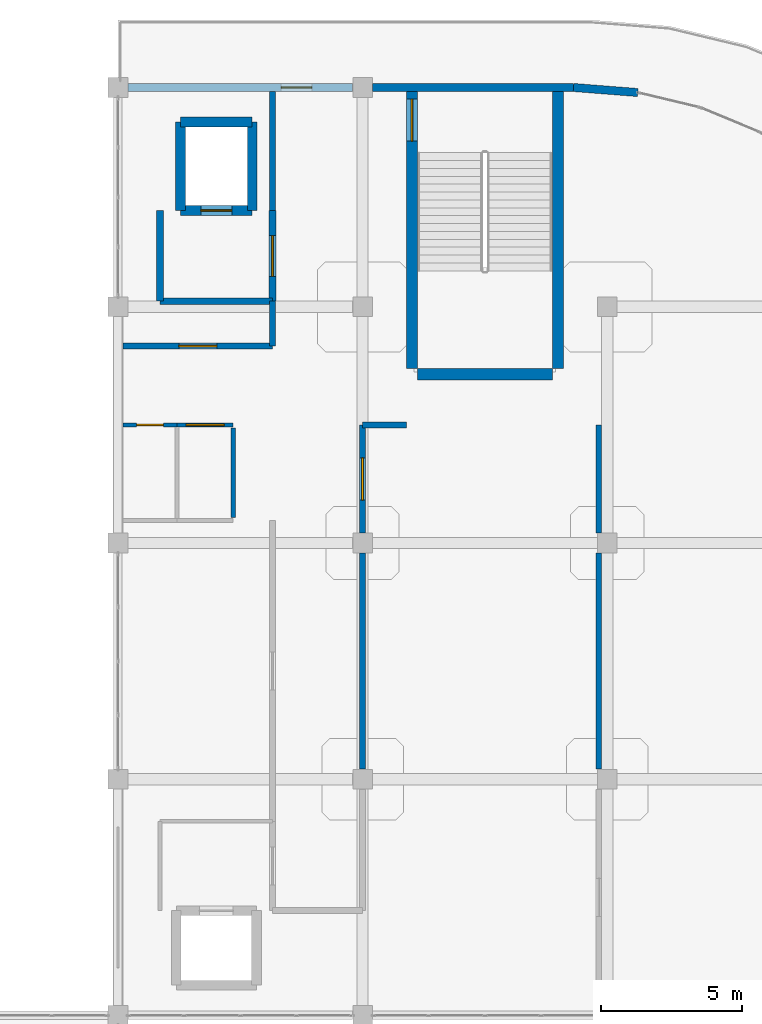
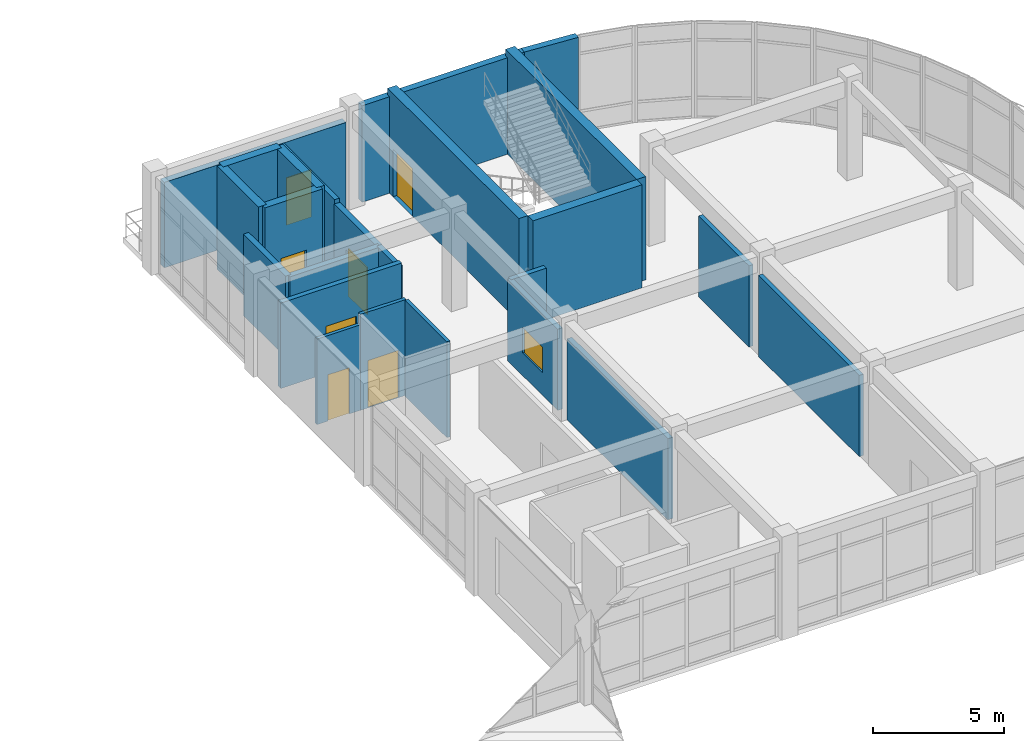
# One storey, part 64 of 76: 24 walls, 7 doors, 1 window, 8 openings.
"""IFC4 building model written with IfcOpenShell, lengths in metres."""

from ifc_helpers import new_model, si_unit, derived_unit, direction, frame, frame_2d, origin, place, context, subcontext, project, spatial, rectangle, extrude, material, layer, layer_set, type_object, element, fill, save


model = new_model("IFC4")

# Units and contexts
model_context = context("Model", 3, precision=1e-05, world=origin(), true_north=direction((0.0, 1.0)))
body_context = subcontext(model_context, "Body", "Model", "MODEL_VIEW")
ifc_project = project(units=[si_unit("LENGTHUNIT", "METRE"), si_unit("AREAUNIT", "SQUARE_METRE"), si_unit("VOLUMEUNIT", "CUBIC_METRE"), si_unit("PLANEANGLEUNIT", "RADIAN"), si_unit("MASSUNIT", "GRAM", prefix="KILO"), derived_unit("THERMALTRANSMITTANCEUNIT", [(si_unit("MASSUNIT", "GRAM", prefix="KILO"), 1), (si_unit("TIMEUNIT", "SECOND"), -3), (si_unit("THERMODYNAMICTEMPERATUREUNIT", "KELVIN"), -1)])], contexts=[model_context])

# Site, building, storey
site_placement = place(None, origin())
site = spatial("IfcSite", under=ifc_project, at=site_placement, CompositionType="ELEMENT")
building_placement = place(site_placement, origin())
building = spatial("IfcBuilding", under=site, at=building_placement, Name="Qinzheling Arcade Emporium", CompositionType="ELEMENT")
storey_placement = place(building_placement, frame((0.0, 0.0, 26.699951171875)))
storey = spatial("IfcBuildingStorey", under=building, at=storey_placement, Name="L06", CompositionType="ELEMENT", Elevation=26.699951171875)

# Wall
ifc_material_1 = material(Name="Double-stud acoustic gypsum board partition")
ifc_layer_1 = layer(ifc_material_1, 0.215087890625, Name="Double-stud acoustic gypsum board partition")
ifc_layer_set_1 = layer_set([ifc_layer_1], Name="Double-stud acoustic gypsum board partition")
wall_type_1 = type_object("IfcWallType", Name="Acoustic Corridor Partition Wall 215", PredefinedType="PARTITIONING", material=ifc_layer_set_1)
wall_1_placement = place(storey_placement, frame((114.655029296875, 94.800048828125, 0.0), z_axis=(0.0, 0.0, 1.0), x_axis=(-1.0, 0.0, 0.0)))
element("IfcWall", 1, at=wall_1_placement, inside=storey, type_object=wall_type_1, Name="Interior Wall WL-L06-INT-0819", PredefinedType="PARTITIONING", context=body_context, shape_type="SweptSolid", body=[
    extrude(rectangle(XDim=1.554931640625, YDim=0.215087890625, at=frame_2d((0.77734375, 0.0))), origin(), (0.0, 0.0, 1.0), 3.775146484375),
])

# Wall, opening, window
wall_2_placement = place(storey_placement, frame((113.10009765625, 94.800048828125, 0.0), z_axis=(0.0, 0.0, 1.0), x_axis=(0.0, -1.0, 0.0)))
wall_2 = element("IfcWall", 2, at=wall_2_placement, inside=storey, type_object=wall_type_1, Name="Interior Wall WL-L06-INT-0820", PredefinedType="PARTITIONING", context=body_context, shape_type="SweptSolid", body=[
    extrude(rectangle(XDim=3.840087890625, YDim=0.215087890625, at=frame_2d((1.919921875, 0.0))), origin(), (0.0, 0.0, 1.0), 3.775146484375),
])
opening_1_placement = place(wall_2_placement, frame((1.169921875, 0.0, 1.050048828125)))
opening_1 = element("IfcOpeningElement", 3, at=opening_1_placement, cuts=wall_2, Name="Opening IW03", PredefinedType="OPENING", context=body_context, shape_type="SweptSolid", body=[
    extrude(rectangle(XDim=1.5, YDim=1.199951171875, at=frame_2d((0.75, 0.60009765625))), frame((0.0, 0.11767578125, 0.0), z_axis=(0.0, -1.0, 0.0), x_axis=(1.0, 0.0, 0.0)), (0.0, 0.0, 1.0), 0.235107421875),
])
ifc_material_2 = material(Name="EI 60 fire-resistant clear safety glazing in steel frame", Category="steel")
window_type = type_object("IfcWindowType", Name="Interior Fire-Glazed Observation Window 1500x1200", PartitioningType="DOUBLE_PANEL_VERTICAL", PredefinedType="USERDEFINED", material=ifc_material_2)
window_placement = place(opening_1_placement, origin())
window = element("IfcWindow", 4, at=window_placement, inside=storey, type_object=window_type, Name="Interior Observation Window IWN-L06-05", ObjectType="BORROWED_LIGHT", OverallHeight=1.199951171875, OverallWidth=1.5, PartitioningType="DOUBLE_PANEL_VERTICAL", PredefinedType="USERDEFINED", context=body_context, shape_type="SweptSolid", body=[
    extrude(rectangle(XDim=1.5, YDim=1.199951171875, at=frame_2d((0.75, 0.60009765625))), frame((0.0, 0.030029296875, 0.0), z_axis=(0.0, -1.0, 0.0), x_axis=(1.0, 0.0, 0.0)), (0.0, 0.0, 1.0), 0.06005859375),
])
fill(opening_1, window)

# Wall
wall_3_placement = place(storey_placement, frame((113.10009765625, 90.239990234375, 0.0), z_axis=(0.0, 0.0, 1.0), x_axis=(0.0, -1.0, 0.0)))
element("IfcWall", 5, at=wall_3_placement, inside=storey, type_object=wall_type_1, Name="Interior Wall WL-L06-INT-0821", PredefinedType="PARTITIONING", context=body_context, shape_type="SweptSolid", body=[
    extrude(rectangle(XDim=7.679931640625, YDim=0.215087890625, at=frame_2d((3.83984375, 0.0))), origin(), (0.0, 0.0, 1.0), 3.775146484375),
])

# Wall, opening, door
wall_4_placement = place(storey_placement, frame((104.580078125, 97.60009765625, 0.0), z_axis=(0.0, 0.0, 1.0), x_axis=(1.0, 0.0, 0.0)))
wall_4 = element("IfcWall", 6, at=wall_4_placement, inside=storey, type_object=wall_type_1, Name="Interior Wall WL-L06-INT-0825", PredefinedType="PARTITIONING", context=body_context, shape_type="SweptSolid", body=[
    extrude(rectangle(XDim=5.31982421875, YDim=0.215087890625, at=frame_2d((2.659912109375, 0.0))), origin(), (0.0, 0.0, 1.0), 3.97509765625),
])
opening_2_placement = place(wall_4_placement, frame((1.985107421875, 0.0, 0.0)))
opening_2 = element("IfcOpeningElement", 7, at=opening_2_placement, cuts=wall_4, Name="Opening FD05", PredefinedType="OPENING", context=body_context, shape_type="SweptSolid", body=[
    extrude(rectangle(XDim=1.35009765625, YDim=2.199951171875, at=frame_2d((0.675048828125, 1.10009765625))), frame((0.0, 0.11767578125, 0.0), z_axis=(0.0, -1.0, 0.0), x_axis=(1.0, 0.0, 0.0)), (0.0, 0.0, 1.0), 0.235107421875),
])
ifc_material_3 = material(Name="Class B fire-rated stainless-clad door")
door_type_1 = type_object("IfcDoorType", Name="Kitchen Fire-Rated Service Door 1350x2200", OperationType="NOTDEFINED", PredefinedType="DOOR", material=ifc_material_3)
door_1_placement = place(opening_2_placement, origin())
door_1 = element("IfcDoor", 8, at=door_1_placement, inside=storey, type_object=door_type_1, Name="FD05 Interior Door DR-L06-INT-0253", OperationType="SINGLE_SWING_LEFT", OverallHeight=2.199951171875, OverallWidth=1.35009765625, PredefinedType="DOOR", context=body_context, shape_type="SweptSolid", body=[
    extrude(rectangle(XDim=1.35009765625, YDim=2.199951171875, at=frame_2d((0.675048828125, 1.10009765625))), frame((0.0, 0.02490234375, 0.0), z_axis=(0.0, -1.0, 0.0), x_axis=(1.0, 0.0, 0.0)), (0.0, 0.0, 1.0), 0.050048828125),
])
fill(opening_2, door_1)

# Walls
wall_5_placement = place(storey_placement, frame((109.89990234375, 97.60009765625, 0.0), z_axis=(0.0, 0.0, 1.0), x_axis=(0.0, 1.0, 0.0)))
element("IfcWall", 9, at=wall_5_placement, inside=storey, type_object=wall_type_1, Name="Interior Wall WL-L06-INT-0826", PredefinedType="PARTITIONING", context=body_context, shape_type="SweptSolid", body=[
    extrude(rectangle(XDim=1.599853515625, YDim=0.215087890625, at=frame_2d((0.7998046875, 0.0))), origin(), (0.0, 0.0, 1.0), 3.775146484375),
])
wall_6_placement = place(storey_placement, frame((109.89990234375, 102.419921875, 0.0), z_axis=(0.0, 0.0, 1.0), x_axis=(0.0, 1.0, 0.0)))
element("IfcWall", 10, at=wall_6_placement, inside=storey, type_object=wall_type_1, Name="Interior Wall WL-L06-INT-0827", PredefinedType="PARTITIONING", context=body_context, shape_type="SweptSolid", body=[
    extrude(rectangle(XDim=4.22998046875, YDim=0.215087890625, at=frame_2d((2.114990234375, 0.0))), origin(), (0.0, 0.0, 1.0), 3.97509765625),
])

# Wall, opening, door
ifc_material_4 = material(Name="Fire-rated double-stud gypsum and mineral wool wall")
ifc_layer_2 = layer(ifc_material_4, 0.2451171875, Name="Fire-rated double-stud gypsum and mineral wool wall")
ifc_layer_set_2 = layer_set([ifc_layer_2], Name="Fire-rated double-stud gypsum and mineral wool wall")
wall_type_2 = type_object("IfcWallType", Name="Firefighting Lobby Rated Wall 245", PredefinedType="STANDARD", material=ifc_layer_set_2)
wall_7_placement = place(storey_placement, frame((109.89990234375, 102.419921875, 0.0), z_axis=(0.0, 0.0, 1.0), x_axis=(0.0, -1.0, 0.0)))
wall_7 = element("IfcWall", 11, at=wall_7_placement, inside=storey, type_object=wall_type_2, Name="Interior Wall WL-L06-INT-0795", PredefinedType="STANDARD", context=body_context, shape_type="SweptSolid", body=[
    extrude(rectangle(XDim=3.219970703125, YDim=0.2451171875, at=frame_2d((1.60986328125, 0.0))), origin(), (0.0, 0.0, 1.0), 3.775146484375),
])
opening_3_placement = place(wall_7_placement, frame((0.885009765625, 0.0, 0.0)))
opening_3 = element("IfcOpeningElement", 12, at=opening_3_placement, cuts=wall_7, Name="Opening FD02", PredefinedType="OPENING", context=body_context, shape_type="SweptSolid", body=[
    extrude(rectangle(XDim=1.449951171875, YDim=2.199951171875, at=frame_2d((0.72509765625, 1.10009765625))), frame((0.0, 0.132568359375, 0.0), z_axis=(0.0, -1.0, 0.0), x_axis=(1.0, 0.0, 0.0)), (0.0, 0.0, 1.0), 0.26513671875),
])
ifc_material_5 = material(Name="Class A fire-rated steel double door", Category="steel")
door_type_2 = type_object("IfcDoorType", Name="Firefighting Lobby Fire Door 1450x2200", OperationType="DOUBLE_DOOR_SINGLE_SWING", PredefinedType="DOOR", material=ifc_material_5)
door_2_placement = place(opening_3_placement, origin())
door_2 = element("IfcDoor", 13, at=door_2_placement, inside=storey, type_object=door_type_2, Name="FD02 Interior Door DR-L06-INT-0228", OperationType="DOUBLE_DOOR_SINGLE_SWING", OverallHeight=2.199951171875, OverallWidth=1.449951171875, PredefinedType="DOOR", context=body_context, shape_type="SweptSolid", body=[
    extrude(rectangle(XDim=1.449951171875, YDim=2.199951171875, at=frame_2d((0.72509765625, 1.10009765625))), frame((0.0, 0.02490234375, 0.0), z_axis=(0.0, -1.0, 0.0), x_axis=(1.0, 0.0, 0.0)), (0.0, 0.0, 1.0), 0.050048828125),
])
fill(opening_3, door_2)

# Walls
wall_8_placement = place(storey_placement, frame((109.89990234375, 99.199951171875, 0.0), z_axis=(0.0, 0.0, 1.0), x_axis=(-1.0, 0.0, 0.0)))
element("IfcWall", 14, at=wall_8_placement, inside=storey, type_object=wall_type_2, Name="Interior Wall WL-L06-INT-0796", PredefinedType="STANDARD", context=body_context, shape_type="SweptSolid", body=[
    extrude(rectangle(XDim=4.0, YDim=0.2451171875, at=frame_2d((2.0, 0.0))), origin(), (0.0, 0.0, 1.0), 3.775146484375),
])
wall_9_placement = place(storey_placement, frame((105.89990234375, 99.199951171875, 0.0), z_axis=(0.0, 0.0, 1.0), x_axis=(0.0, 1.0, 0.0)))
element("IfcWall", 15, at=wall_9_placement, inside=storey, type_object=wall_type_2, Name="Interior Wall WL-L06-INT-0797", PredefinedType="STANDARD", context=body_context, shape_type="SweptSolid", body=[
    extrude(rectangle(XDim=3.219970703125, YDim=0.2451171875, at=frame_2d((1.60986328125, 0.0))), origin(), (0.0, 0.0, 1.0), 3.775146484375),
])
ifc_material_6 = material(Name="Ceramic-tiled cement-board partition")
ifc_layer_3 = layer(ifc_material_6, 0.18505859375, Name="Ceramic-tiled cement-board partition")
ifc_layer_set_3 = layer_set([ifc_layer_3], Name="Ceramic-tiled cement-board partition")
wall_type_3 = type_object("IfcWallType", Name="Food Hall Kitchen Partition Wall 185", PredefinedType="PARTITIONING", material=ifc_layer_set_3)
wall_10_placement = place(storey_placement, frame((121.5, 94.800048828125, 0.0), z_axis=(0.0, 0.0, 1.0), x_axis=(0.0, -1.0, 0.0)))
element("IfcWall", 16, at=wall_10_placement, inside=storey, type_object=wall_type_3, Name="Interior Wall WL-L06-INT-0875", PredefinedType="PARTITIONING", context=body_context, shape_type="SweptSolid", body=[
    extrude(rectangle(XDim=3.840087890625, YDim=0.18505859375, at=frame_2d((1.919921875, 0.0))), origin(), (0.0, 0.0, 1.0), 3.775146484375),
])
wall_11_placement = place(storey_placement, frame((121.5, 90.239990234375, 0.0), z_axis=(0.0, 0.0, 1.0), x_axis=(0.0, -1.0, 0.0)))
element("IfcWall", 17, at=wall_11_placement, inside=storey, type_object=wall_type_3, Name="Interior Wall WL-L06-INT-0876", PredefinedType="PARTITIONING", context=body_context, shape_type="SweptSolid", body=[
    extrude(rectangle(XDim=7.679931640625, YDim=0.18505859375, at=frame_2d((3.83984375, 0.0))), origin(), (0.0, 0.0, 1.0), 3.775146484375),
])

# Wall, opening, door
ifc_material_7 = material(Name="Buff glazed terracotta insulated wall", Category="masonry")
ifc_layer_4 = layer(ifc_material_7, 0.2900390625, Name="Buff glazed terracotta insulated wall", Category="masonry")
ifc_layer_set_4 = layer_set([ifc_layer_4], Name="Buff glazed terracotta insulated wall")
wall_type_4 = type_object("IfcWallType", Name="Office Bar Terracotta Wall 290", PredefinedType="STANDARD", material=ifc_layer_set_4)
wall_12_placement = place(storey_placement, frame((104.751953125, 106.800048828125, 0.0), z_axis=(0.0, 0.0, 1.0), x_axis=(1.0, 0.0, 0.0)))
wall_12 = element("IfcWall", 18, at=wall_12_placement, inside=storey, type_object=wall_type_4, Name="Exterior Wall WL-L06-EW-0315", PredefinedType="STANDARD", context=body_context, shape_type="SweptSolid", body=[
    extrude(rectangle(XDim=7.99609375, YDim=0.2900390625, at=frame_2d((3.998046875, 0.0))), origin(), (0.0, 0.0, 1.0), 3.969970703125),
])
opening_4_placement = place(wall_12_placement, frame((5.447998046875, 0.0, 0.0)))
opening_4 = element("IfcOpeningElement", 19, at=opening_4_placement, cuts=wall_12, Name="Opening TD04", PredefinedType="OPENING", context=body_context, shape_type="SweptSolid", body=[
    extrude(rectangle(XDim=1.10009765625, YDim=2.199951171875, at=frame_2d((0.550048828125, 1.10009765625))), frame((0.0, 0.155029296875, 0.0), z_axis=(0.0, -1.0, 0.0), x_axis=(1.0, 0.0, 0.0)), (0.0, 0.0, 1.0), 0.31005859375),
])
ifc_material_8 = material(Name="Thermally broken aluminium and double glass", Category="aluminium")
door_type_3 = type_object("IfcDoorType", Name="Buying Office Terrace Single Door 1100x2200", OperationType="NOTDEFINED", PredefinedType="DOOR", material=ifc_material_8)
door_3_placement = place(opening_4_placement, origin())
door_3 = element("IfcDoor", 20, at=door_3_placement, inside=storey, type_object=door_type_3, Name="TD04 Exterior Door DR-L06-EXT-040", OperationType="SINGLE_SWING_LEFT", OverallHeight=2.199951171875, OverallWidth=1.10009765625, PredefinedType="DOOR", context=body_context, shape_type="SweptSolid", body=[
    extrude(rectangle(XDim=1.10009765625, YDim=2.199951171875, at=frame_2d((0.550048828125, 1.10009765625))), frame((0.0, 0.02490234375, 0.0), z_axis=(0.0, -1.0, 0.0), x_axis=(1.0, 0.0, 0.0)), (0.0, 0.0, 1.0), 0.050048828125),
])
fill(opening_4, door_3)

# Walls
wall_13_placement = place(storey_placement, frame((113.451904296875, 106.800048828125, 0.0), z_axis=(0.0, 0.0, 1.0), x_axis=(1.0, 0.0, 0.0)))
element("IfcWall", 21, at=wall_13_placement, inside=storey, type_object=wall_type_4, Name="Exterior Wall WL-L06-EW-0316", PredefinedType="STANDARD", context=body_context, shape_type="SweptSolid", body=[
    extrude(rectangle(XDim=7.148193359375, YDim=0.2900390625, at=frame_2d((3.57421875, 0.0))), origin(), (0.0, 0.0, 1.0), 4.489990234375),
])
wall_14_placement = place(storey_placement, frame((120.60009765625, 106.800048828125, 0.0), z_axis=(0.0, 0.0, 1.0), x_axis=(0.996911116456, -0.07853805375, 0.0)))
element("IfcWall", 22, at=wall_14_placement, inside=storey, type_object=wall_type_4, Name="Exterior Wall WL-L06-EW-0317", PredefinedType="STANDARD", context=body_context, shape_type="SweptSolid", body=[
    extrude(rectangle(XDim=2.291015625, YDim=0.2900390625, at=frame_2d((1.1455078125, 0.0))), origin(), (0.0, 0.0, 1.0), 4.489990234375),
])

# Wall, opening, door
ifc_material_9 = material(Name="Moisture-resistant shaftliner gypsum board")
ifc_layer_5 = layer(ifc_material_9, 0.155029296875, Name="Moisture-resistant shaftliner gypsum board")
ifc_layer_set_5 = layer_set([ifc_layer_5], Name="Moisture-resistant shaftliner gypsum board")
wall_type_5 = type_object("IfcWallType", Name="Plumbing and Service Riser Wall 155", PredefinedType="MOVABLE", material=ifc_layer_set_5)
wall_15_placement = place(storey_placement, frame((106.5, 94.800048828125, 0.0), z_axis=(0.0, 0.0, 1.0), x_axis=(1.0, 0.0, 0.0)))
wall_15 = element("IfcWall", 23, at=wall_15_placement, inside=storey, type_object=wall_type_5, Name="Interior Wall WL-L06-INT-0817", PredefinedType="MOVABLE", context=body_context, shape_type="SweptSolid", body=[
    extrude(rectangle(XDim=2.0, YDim=0.155029296875, at=frame_2d((1.0, 0.0))), origin(), (0.0, 0.0, 1.0), 4.4599609375),
])
opening_5_placement = place(wall_15_placement, frame((0.324951171875, 0.0, 0.0)))
opening_5 = element("IfcOpeningElement", 24, at=opening_5_placement, cuts=wall_15, Name="Opening FD05", PredefinedType="OPENING", context=body_context, shape_type="SweptSolid", body=[
    extrude(rectangle(XDim=1.35009765625, YDim=2.199951171875, at=frame_2d((0.675048828125, 1.10009765625))), frame((0.0, 0.08740234375, 0.0), z_axis=(0.0, -1.0, 0.0), x_axis=(1.0, 0.0, 0.0)), (0.0, 0.0, 1.0), 0.175048828125),
])
door_4_placement = place(opening_5_placement, origin())
door_4 = element("IfcDoor", 25, at=door_4_placement, inside=storey, type_object=door_type_1, Name="FD05 Interior Door DR-L06-INT-0236", OperationType="SINGLE_SWING_RIGHT", OverallHeight=2.199951171875, OverallWidth=1.35009765625, PredefinedType="DOOR", context=body_context, shape_type="SweptSolid", body=[
    extrude(rectangle(XDim=1.35009765625, YDim=2.199951171875, at=frame_2d((0.675048828125, 1.10009765625))), frame((0.0, 0.02490234375, 0.0), z_axis=(0.0, -1.0, 0.0), x_axis=(1.0, 0.0, 0.0)), (0.0, 0.0, 1.0), 0.050048828125),
])
fill(opening_5, door_4)

# Wall
ifc_material_10 = material(Name="Concrete C40", Category="concrete")
ifc_layer_6 = layer(ifc_material_10, 0.35009765625, Name="Concrete C40", Category="concrete")
ifc_layer_set_6 = layer_set([ifc_layer_6], Name="Concrete C40")
wall_type_6 = type_object("IfcWallType", Name="RC Lift Shaft Shear Wall 350 C40", PredefinedType="SHEAR", material=ifc_layer_set_6)
wall_16_placement = place(storey_placement, frame((106.625, 105.574951171875, 0.0), z_axis=(0.0, 0.0, 1.0), x_axis=(1.0, 0.0, 0.0)))
element("IfcWall", 26, at=wall_16_placement, inside=storey, type_object=wall_type_6, Name="Lift Shaft Wall WL-L06-LFT-LF03-N", PredefinedType="SHEAR", context=body_context, shape_type="SweptSolid", body=[
    extrude(rectangle(XDim=2.550048828125, YDim=0.35009765625, at=frame_2d((1.27490234375, 0.0))), origin(), (0.0, 0.0, 1.0), 4.800048828125),
])

# Wall, opening, door
wall_17_placement = place(storey_placement, frame((109.175048828125, 102.425048828125, 0.0), z_axis=(0.0, 0.0, 1.0), x_axis=(-1.0, 0.0, 0.0)))
wall_17 = element("IfcWall", 27, at=wall_17_placement, inside=storey, type_object=wall_type_6, Name="Lift Shaft Wall WL-L06-LFT-LF03-S", PredefinedType="SHEAR", context=body_context, shape_type="SweptSolid", body=[
    extrude(rectangle(XDim=2.550048828125, YDim=0.35009765625, at=frame_2d((1.27490234375, 0.0))), origin(), (0.0, 0.0, 1.0), 4.800048828125),
])
opening_6_placement = place(wall_17_placement, frame((0.72509765625, 0.0, 0.0)))
opening_6 = element("IfcOpeningElement", 28, at=opening_6_placement, cuts=wall_17, Name="Opening LD01", PredefinedType="OPENING", context=body_context, shape_type="SweptSolid", body=[
    extrude(rectangle(XDim=1.10009765625, YDim=2.199951171875, at=frame_2d((0.550048828125, 1.10009765625))), frame((0.0, 0.18505859375, 0.0), z_axis=(0.0, -1.0, 0.0), x_axis=(1.0, 0.0, 0.0)), (0.0, 0.0, 1.0), 0.3701171875),
])
ifc_material_11 = material(Name="Fire-rated stainless steel sliding lift door", Category="steel")
door_type_4 = type_object("IfcDoorType", Name="Firefighting Lift Sliding Landing Door 1100x2200", OperationType="DOUBLE_DOOR_SLIDING", PredefinedType="DOOR", material=ifc_material_11)
door_5_placement = place(opening_6_placement, origin())
door_5 = element("IfcDoor", 29, at=door_5_placement, inside=storey, type_object=door_type_4, Name="LD01 Lift Landing Door LF03 L06", OperationType="DOUBLE_DOOR_SLIDING", OverallHeight=2.199951171875, OverallWidth=1.10009765625, PredefinedType="DOOR", context=body_context, shape_type="SweptSolid", body=[
    extrude(rectangle(XDim=1.10009765625, YDim=2.199951171875, at=frame_2d((0.550048828125, 1.10009765625))), frame((0.0, 0.02490234375, 0.0), z_axis=(0.0, -1.0, 0.0), x_axis=(1.0, 0.0, 0.0)), (0.0, 0.0, 1.0), 0.050048828125),
])
fill(opening_6, door_5)

# Walls
for number, where, z_axis, x_axis, name in (
    (30, (106.625, 102.425048828125, 0.0), (0.0, 0.0, 1.0), (0.0, 1.0, 0.0), "Lift Shaft Wall WL-L06-LFT-LF03-W"),
    (31, (109.175048828125, 105.574951171875, 0.0), (0.0, 0.0, 1.0), (0.0, -1.0, 0.0), "Lift Shaft Wall WL-L06-LFT-LF03-E"),
):
    element("IfcWall", number, at=place(storey_placement, frame(where, z_axis=z_axis, x_axis=x_axis)), inside=storey, type_object=wall_type_6, Name=name, PredefinedType="SHEAR", context=body_context, shape_type="SweptSolid", body=[
        extrude(rectangle(XDim=3.14990234375, YDim=0.35009765625, at=frame_2d((1.574951171875, 0.0))), origin(), (0.0, 0.0, 1.0), 4.800048828125),
    ])

# Wall, opening, door
ifc_material_12 = material(Name="Concrete C50", Category="concrete")
ifc_layer_7 = layer(ifc_material_12, 0.39990234375, Name="Concrete C50", Category="concrete")
ifc_layer_set_7 = layer_set([ifc_layer_7], Name="Concrete C50")
wall_type_7 = type_object("IfcWallType", Name="RC Stair Core Shear Wall 400 C50", PredefinedType="SHEAR", material=ifc_layer_set_7)
wall_18_placement = place(storey_placement, frame((114.85498046875, 96.800048828125, 0.0), z_axis=(0.0, 0.0, 1.0), x_axis=(0.0, 1.0, 0.0)))
wall_18 = element("IfcWall", 32, at=wall_18_placement, inside=storey, type_object=wall_type_7, Name="Stair Core Wall WL-L06-ST08-WEST", PredefinedType="SHEAR", context=body_context, shape_type="SweptSolid", body=[
    extrude(rectangle(XDim=10.0, YDim=0.39990234375, at=frame_2d((5.0, 0.0))), origin(), (0.0, 0.0, 1.0), 4.800048828125),
])
opening_7_placement = place(wall_18_placement, frame((8.090087890625, 0.0, 0.0)))
opening_7 = element("IfcOpeningElement", 33, at=opening_7_placement, cuts=wall_18, Name="Opening FD01", PredefinedType="OPENING", context=body_context, shape_type="SweptSolid", body=[
    extrude(rectangle(XDim=1.5, YDim=2.199951171875, at=frame_2d((0.75, 1.10009765625))), frame((0.0, 0.2099609375, 0.0), z_axis=(0.0, -1.0, 0.0), x_axis=(1.0, 0.0, 0.0)), (0.0, 0.0, 1.0), 0.419921875),
])
door_type_5 = type_object("IfcDoorType", Name="Stairwell Smoke-Proof Fire Door 1500x2200", OperationType="DOUBLE_DOOR_SINGLE_SWING", PredefinedType="DOOR", material=ifc_material_5)
door_6_placement = place(opening_7_placement, origin())
door_6 = element("IfcDoor", 34, at=door_6_placement, inside=storey, type_object=door_type_5, Name="FD01 Stairwell Fire Door DR-L06-ST08-FD", OperationType="DOUBLE_DOOR_SINGLE_SWING", OverallHeight=2.199951171875, OverallWidth=1.5, PredefinedType="DOOR", context=body_context, shape_type="SweptSolid", body=[
    extrude(rectangle(XDim=1.5, YDim=2.199951171875, at=frame_2d((0.75, 1.10009765625))), frame((0.0, 0.02490234375, 0.0), z_axis=(0.0, -1.0, 0.0), x_axis=(1.0, 0.0, 0.0)), (0.0, 0.0, 1.0), 0.050048828125),
])
fill(opening_7, door_6)

# Walls
wall_19_placement = place(storey_placement, frame((120.044921875, 106.800048828125, 0.0), z_axis=(0.0, 0.0, 1.0), x_axis=(0.0, -1.0, 0.0)))
element("IfcWall", 35, at=wall_19_placement, inside=storey, type_object=wall_type_7, Name="Stair Core Wall WL-L06-ST08-EAST", PredefinedType="SHEAR", context=body_context, shape_type="SweptSolid", body=[
    extrude(rectangle(XDim=10.0, YDim=0.39990234375, at=frame_2d((5.0, 0.0))), origin(), (0.0, 0.0, 1.0), 4.800048828125),
])
wall_20_placement = place(storey_placement, frame((119.844970703125, 96.60009765625, 0.0), z_axis=(0.0, 0.0, 1.0), x_axis=(-1.0, 0.0, 0.0)))
element("IfcWall", 36, at=wall_20_placement, inside=storey, type_object=wall_type_7, Name="Stair Core Wall WL-L06-ST08-SOUTH", PredefinedType="SHEAR", context=body_context, shape_type="SweptSolid", body=[
    extrude(rectangle(XDim=4.7900390625, YDim=0.39990234375, at=frame_2d((2.39501953125, 0.0))), origin(), (0.0, 0.0, 1.0), 4.800048828125),
])

# Wall, opening, door
ifc_material_13 = material(Name="Moisture-resistant cement-board WC partition")
ifc_layer_8 = layer(ifc_material_13, 0.14501953125, Name="Moisture-resistant cement-board WC partition")
ifc_layer_set_8 = layer_set([ifc_layer_8], Name="Moisture-resistant cement-board WC partition")
wall_type_8 = type_object("IfcWallType", Name="Washroom Moisture Partition Wall 145", PredefinedType="PARTITIONING", material=ifc_layer_set_8)
wall_21_placement = place(storey_placement, frame((104.580078125, 94.800048828125, 0.0), z_axis=(0.0, 0.0, 1.0), x_axis=(1.0, 0.0, 0.0)))
wall_21 = element("IfcWall", 37, at=wall_21_placement, inside=storey, type_object=wall_type_8, Name="Interior Wall WL-L06-INT-0815", PredefinedType="PARTITIONING", context=body_context, shape_type="SweptSolid", body=[
    extrude(rectangle(XDim=1.919921875, YDim=0.14501953125, at=frame_2d((0.9599609375, 0.0))), origin(), (0.0, 0.0, 1.0), 3.97509765625),
])
opening_8_placement = place(wall_21_placement, frame((0.485107421875, 0.0, 0.0)))
opening_8 = element("IfcOpeningElement", 38, at=opening_8_placement, cuts=wall_21, Name="Opening D12", PredefinedType="OPENING", context=body_context, shape_type="SweptSolid", body=[
    extrude(rectangle(XDim=0.949951171875, YDim=2.14990234375, at=frame_2d((0.47509765625, 1.074951171875))), frame((0.0, 0.08251953125, 0.0), z_axis=(0.0, -1.0, 0.0), x_axis=(1.0, 0.0, 0.0)), (0.0, 0.0, 1.0), 0.1650390625),
])
ifc_material_14 = material(Name="Antimicrobial high-pressure laminate door")
door_type_6 = type_object("IfcDoorType", Name="Public Male Washroom Door 950x2150", OperationType="NOTDEFINED", PredefinedType="DOOR", material=ifc_material_14)
door_7_placement = place(opening_8_placement, origin())
door_7 = element("IfcDoor", 39, at=door_7_placement, inside=storey, type_object=door_type_6, Name="D12 Interior Door DR-L06-INT-0235", OperationType="SINGLE_SWING_LEFT", OverallHeight=2.14990234375, OverallWidth=0.949951171875, PredefinedType="DOOR", context=body_context, shape_type="SweptSolid", body=[
    extrude(rectangle(XDim=0.949951171875, YDim=2.14990234375, at=frame_2d((0.47509765625, 1.074951171875))), frame((0.0, 0.02490234375, 0.0), z_axis=(0.0, -1.0, 0.0), x_axis=(1.0, 0.0, 0.0)), (0.0, 0.0, 1.0), 0.050048828125),
])
fill(opening_8, door_7)

# Wall
wall_22_placement = place(storey_placement, frame((108.5, 94.69189453125, 0.0), z_axis=(0.0, 0.0, 1.0), x_axis=(0.0, -1.0, 0.0)))
element("IfcWall", 40, at=wall_22_placement, inside=storey, type_object=wall_type_8, Name="Interior Wall WL-L06-INT-0878", PredefinedType="PARTITIONING", context=body_context, shape_type="SweptSolid", body=[
    extrude(rectangle(XDim=3.18896484375, YDim=0.14501953125, at=frame_2d((1.594482421875, 0.0))), origin(), (0.0, 0.0, 1.0), 4.4599609375),
])

save(model, "model.ifc")
